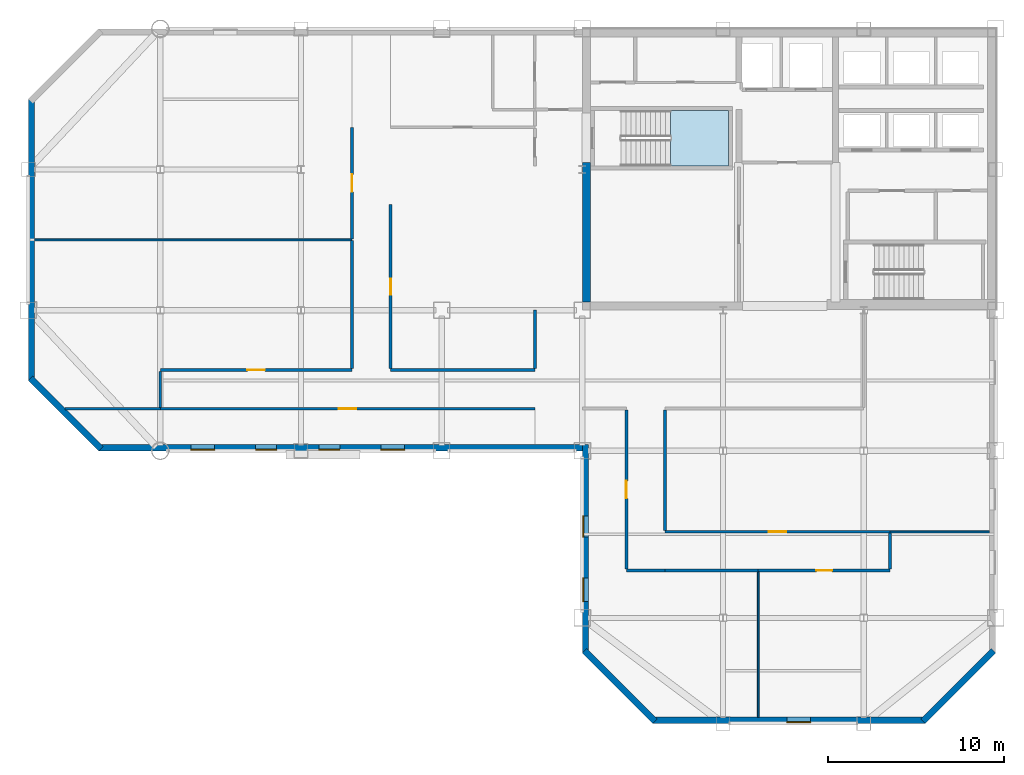
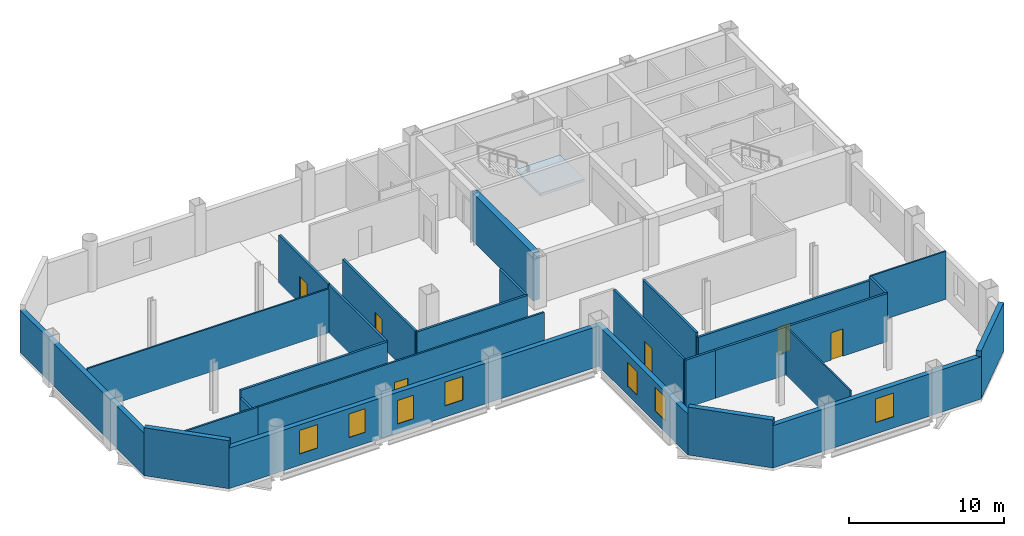
# One storey, part 4 of 10: 27 walls, 7 doors, 7 windows, 1 slab, 14 openings, 1 element without a shape of its own.
"""IFC4 building model written with IfcOpenShell, lengths in metres."""

from ifc_helpers import new_model, si_unit, direction, frame, frame_2d, origin, place, context, subcontext, project, spatial, polyline, rectangle, outline, extrude, material, layer, layer_set, type_object, element, fill, aggregate, save


model = new_model("IFC4")

# Units and contexts
model_context = context("Model", 3, precision=1e-05, world=origin(), true_north=direction((0.0, 1.0)))
body_context = subcontext(model_context, "Body", "Model", "MODEL_VIEW")
ifc_project = project(units=[si_unit("LENGTHUNIT", "METRE"), si_unit("AREAUNIT", "SQUARE_METRE"), si_unit("VOLUMEUNIT", "CUBIC_METRE"), si_unit("PLANEANGLEUNIT", "RADIAN"), si_unit("MASSUNIT", "GRAM", prefix="KILO")], contexts=[model_context])

# Site, building, storey
site_placement = place(None, origin())
site = spatial("IfcSite", under=ifc_project, at=site_placement, CompositionType="ELEMENT")
building_placement = place(site_placement, origin())
building = spatial("IfcBuilding", under=site, at=building_placement, Name="Qianrong Seaharbour Tower", CompositionType="ELEMENT")
storey_placement = place(building_placement, frame((0.0, 0.0, 229.800048828125)))
storey = spatial("IfcBuildingStorey", under=building, at=storey_placement, Name="L55", CompositionType="ELEMENT", Elevation=229.800048828125)

# Stair, slab
ifc_material_1 = material(Name="Concrete C50/60", Category="concrete")
stair_type = type_object("IfcStairType", Name="STAIR-DOGLEG-1500-R22", PredefinedType="HALF_TURN_STAIR", material=ifc_material_1)
stair_placement = place(storey_placement, origin())
stair = element("IfcStair", 1, at=stair_placement, inside=storey, type_object=stair_type, Name="L55 Protected Escape Stair ST-1", PredefinedType="HALF_TURN_STAIR")
ifc_layer_1 = layer(ifc_material_1, 0.199951171875)
ifc_layer_set_1 = layer_set([ifc_layer_1], Name="Concrete C50/60")
slab_type = type_object("IfcSlabType", Name="SLAB-STAIR-LANDING-200", PredefinedType="LANDING", material=ifc_layer_set_1)
slab_placement = place(storey_placement, frame((0.0, 0.0, 1.800048828125)))
slab = element("IfcSlab", 2, at=slab_placement, type_object=slab_type, Name="ST-1 landing 1", PredefinedType="LANDING", context=body_context, shape_type="SweptSolid", body=[
    extrude(outline(polyline([(45.5, 44.199951171875), (48.800048828125, 44.199951171875), (48.800048828125, 47.35009765625), (45.5, 47.35009765625), (45.5, 44.199951171875)])), origin(), (0.0, 0.0, 1.0), 0.199951171875),
])
aggregate(stair, [slab])

# Walls
ifc_material_2 = material(Name="Concrete C60/75", Category="concrete")
ifc_layer_2 = layer(ifc_material_2, 0.4599609375)
ifc_layer_set_2 = layer_set([ifc_layer_2], Name="Concrete C60/75")
wall_type_1 = type_object("IfcWallType", Name="WALL-CORE-460", PredefinedType="SHEAR", material=ifc_layer_set_2)
wall_1_placement = place(storey_placement, frame((40.72998046875, 36.4599609375, 0.0), z_axis=(0.0, 0.0, 1.0), x_axis=(0.0, 1.0, 0.0)))
element("IfcWall", 3, at=wall_1_placement, inside=storey, type_object=wall_type_1, Name="L55 West Core Shear Wall South", PredefinedType="SHEAR", context=body_context, shape_type="SweptSolid", body=[
    extrude(rectangle(XDim=7.93994140625, YDim=0.4599609375, at=frame_2d((3.969970703125, 0.0))), origin(), (0.0, 0.0, 1.0), 3.77490234375),
])
ifc_material_3 = material(Name="Fire-rated acoustic gypsum board partition")
ifc_layer_3 = layer(ifc_material_3, 0.1650390625)
ifc_layer_set_3 = layer_set([ifc_layer_3], Name="Fire-rated acoustic gypsum board partition")
wall_type_2 = type_object("IfcWallType", Name="WALL-CORR-PART-165", PredefinedType="PARTITIONING", material=ifc_layer_set_3)
wall_2_placement = place(storey_placement, frame((16.5, 30.45703125, 0.0), z_axis=(0.0, 0.0, 1.0), x_axis=(0.0, 1.0, 0.0)))
element("IfcWall", 4, at=wall_2_placement, inside=storey, type_object=wall_type_2, Name="L55 Interior Partition Wall 016", PredefinedType="PARTITIONING", context=body_context, shape_type="SweptSolid", body=[
    extrude(rectangle(XDim=2.068359375, YDim=0.1650390625, at=frame_2d((1.0341796875, 0.0))), origin(), (0.0, 0.0, 1.0), 3.178955078125),
])

# Wall, opening, door
wall_3_placement = place(storey_placement, frame((16.5, 32.60009765625, 0.0), z_axis=(0.0, 0.0, 1.0), x_axis=(1.0, 0.0, 0.0)))
wall_3 = element("IfcWall", 5, at=wall_3_placement, inside=storey, type_object=wall_type_2, Name="L55 Interior Partition Wall 017", PredefinedType="PARTITIONING", context=body_context, shape_type="SweptSolid", body=[
    extrude(rectangle(XDim=10.89990234375, YDim=0.1650390625, at=frame_2d((5.449951171875, 0.0))), origin(), (0.0, 0.0, 1.0), 3.77490234375),
])
opening_1_placement = place(wall_3_placement, frame((4.949951171875, 0.0, 0.0)))
opening_1 = element("IfcOpeningElement", 6, at=opening_1_placement, cuts=wall_3, Name="Opening DO-01", PredefinedType="OPENING", context=body_context, shape_type="SweptSolid", body=[
    extrude(rectangle(XDim=1.0, YDim=2.14990234375, at=frame_2d((0.5, 1.074951171875))), frame((0.0, 0.092529296875, 0.0), z_axis=(0.0, -1.0, 0.0), x_axis=(1.0, 0.0, 0.0)), (0.0, 0.0, 1.0), 0.18505859375),
])
ifc_material_4 = material(Name="Acoustic timber and galvanized steel fire door assembly", Category="steel")
door_type_1 = type_object("IfcDoorType", Name="DOOR-OFFICE-1000x2150", OperationType="NOTDEFINED", PredefinedType="DOOR", material=ifc_material_4)
door_1_placement = place(opening_1_placement, origin())
door_1 = element("IfcDoor", 7, at=door_1_placement, inside=storey, type_object=door_type_1, Name="L55 Project Library Door", OperationType="SINGLE_SWING_RIGHT", OverallHeight=2.14990234375, OverallWidth=1.0, PredefinedType="DOOR", context=body_context, shape_type="SweptSolid", body=[
    extrude(rectangle(XDim=1.0, YDim=2.14990234375, at=frame_2d((0.5, 1.074951171875))), frame((0.0, 0.02490234375, 0.0), z_axis=(0.0, -1.0, 0.0), x_axis=(1.0, 0.0, 0.0)), (0.0, 0.0, 1.0), 0.050048828125),
])
fill(opening_1, door_1)

# Wall
wall_4_placement = place(storey_placement, frame((29.60009765625, 32.60009765625, 0.0), z_axis=(0.0, 0.0, 1.0), x_axis=(1.0, 0.0, 0.0)))
element("IfcWall", 8, at=wall_4_placement, inside=storey, type_object=wall_type_2, Name="L55 Interior Partition Wall 018", PredefinedType="PARTITIONING", context=body_context, shape_type="SweptSolid", body=[
    extrude(rectangle(XDim=8.199951171875, YDim=0.1650390625, at=frame_2d((4.10009765625, 0.0))), origin(), (0.0, 0.0, 1.0), 3.77490234375),
])

# Wall, opening, door
wall_5_placement = place(storey_placement, frame((27.39990234375, 40.047119140625, 0.0), z_axis=(0.0, 0.0, 1.0), x_axis=(0.0, 1.0, 0.0)))
wall_5 = element("IfcWall", 9, at=wall_5_placement, inside=storey, type_object=wall_type_2, Name="L55 Interior Partition Wall 020", PredefinedType="PARTITIONING", context=body_context, shape_type="SweptSolid", body=[
    extrude(rectangle(XDim=6.352783203125, YDim=0.1650390625, at=frame_2d((3.17626953125, 0.0))), origin(), (0.0, 0.0, 1.0), 3.77490234375),
])
opening_2_placement = place(wall_5_placement, frame((2.676513671875, 0.0, 0.0)))
opening_2 = element("IfcOpeningElement", 10, at=opening_2_placement, cuts=wall_5, Name="Opening DO-01", PredefinedType="OPENING", context=body_context, shape_type="SweptSolid", body=[
    extrude(rectangle(XDim=1.0, YDim=2.14990234375, at=frame_2d((0.5, 1.074951171875))), frame((0.0, 0.092529296875, 0.0), z_axis=(0.0, -1.0, 0.0), x_axis=(1.0, 0.0, 0.0)), (0.0, 0.0, 1.0), 0.18505859375),
])
door_2_placement = place(opening_2_placement, origin())
door_2 = element("IfcDoor", 11, at=door_2_placement, inside=storey, type_object=door_type_1, Name="L55 West Wing Open-Plan Office Door", OperationType="SINGLE_SWING_LEFT", OverallHeight=2.14990234375, OverallWidth=1.0, PredefinedType="DOOR", context=body_context, shape_type="SweptSolid", body=[
    extrude(rectangle(XDim=1.0, YDim=2.14990234375, at=frame_2d((0.5, 1.074951171875))), frame((0.0, 0.02490234375, 0.0), z_axis=(0.0, -1.0, 0.0), x_axis=(1.0, 0.0, 0.0)), (0.0, 0.0, 1.0), 0.050048828125),
])
fill(opening_2, door_2)

# Wall
wall_6_placement = place(storey_placement, frame((27.39990234375, 32.674560546875, 0.0), z_axis=(0.0, 0.0, 1.0), x_axis=(0.0, 1.0, 0.0)))
element("IfcWall", 12, at=wall_6_placement, inside=storey, type_object=wall_type_2, Name="L55 Interior Partition Wall 021", PredefinedType="PARTITIONING", context=body_context, shape_type="SweptSolid", body=[
    extrude(rectangle(XDim=7.2783203125, YDim=0.1650390625, at=frame_2d((3.63916015625, 0.0))), origin(), (0.0, 0.0, 1.0), 3.77490234375),
])

# Wall, opening, door
wall_7_placement = place(storey_placement, frame((29.60009765625, 42.0, 0.0), z_axis=(0.0, 0.0, 1.0), x_axis=(0.0, -1.0, 0.0)))
wall_7 = element("IfcWall", 13, at=wall_7_placement, inside=storey, type_object=wall_type_2, Name="L55 Interior Partition Wall 022", PredefinedType="PARTITIONING", context=body_context, shape_type="SweptSolid", body=[
    extrude(rectangle(XDim=9.325439453125, YDim=0.1650390625, at=frame_2d((4.66259765625, 0.0))), origin(), (0.0, 0.0, 1.0), 3.77490234375),
])
opening_3_placement = place(wall_7_placement, frame((4.212646484375, 0.0, 0.0)))
opening_3 = element("IfcOpeningElement", 14, at=opening_3_placement, cuts=wall_7, Name="Opening DS-01", PredefinedType="OPENING", context=body_context, shape_type="SweptSolid", body=[
    extrude(rectangle(XDim=0.89990234375, YDim=2.14990234375, at=frame_2d((0.449951171875, 1.074951171875))), frame((0.0, 0.092529296875, 0.0), z_axis=(0.0, -1.0, 0.0), x_axis=(1.0, 0.0, 0.0)), (0.0, 0.0, 1.0), 0.18505859375),
])
door_type_2 = type_object("IfcDoorType", Name="DOOR-STORE-900x2150", OperationType="NOTDEFINED", PredefinedType="DOOR", material=ifc_material_4)
door_3_placement = place(opening_3_placement, origin())
door_3 = element("IfcDoor", 15, at=door_3_placement, inside=storey, type_object=door_type_2, Name="L55 Corporate Archive Room 1 Door", OperationType="SINGLE_SWING_LEFT", OverallHeight=2.14990234375, OverallWidth=0.89990234375, PredefinedType="DOOR", context=body_context, shape_type="SweptSolid", body=[
    extrude(rectangle(XDim=0.89990234375, YDim=2.14990234375, at=frame_2d((0.449951171875, 1.074951171875))), frame((0.0, 0.02490234375, 0.0), z_axis=(0.0, -1.0, 0.0), x_axis=(1.0, 0.0, 0.0)), (0.0, 0.0, 1.0), 0.050048828125),
])
fill(opening_3, door_3)

# Walls
wall_8_placement = place(storey_placement, frame((37.800048828125, 32.674560546875, 0.0), z_axis=(0.0, 0.0, 1.0), x_axis=(0.0, 1.0, 0.0)))
element("IfcWall", 16, at=wall_8_placement, inside=storey, type_object=wall_type_2, Name="L55 Interior Partition Wall 024", PredefinedType="PARTITIONING", context=body_context, shape_type="SweptSolid", body=[
    extrude(rectangle(XDim=3.325439453125, YDim=0.1650390625, at=frame_2d((1.66259765625, 0.0))), origin(), (0.0, 0.0, 1.0), 3.77490234375),
])
wall_9_placement = place(storey_placement, frame((45.199951171875, 30.325439453125, 0.0), z_axis=(0.0, 0.0, 1.0), x_axis=(0.0, -1.0, 0.0)))
element("IfcWall", 17, at=wall_9_placement, inside=storey, type_object=wall_type_2, Name="L55 Interior Partition Wall 028", PredefinedType="PARTITIONING", context=body_context, shape_type="SweptSolid", body=[
    extrude(rectangle(XDim=6.850830078125, YDim=0.1650390625, at=frame_2d((3.42529296875, 0.0))), origin(), (0.0, 0.0, 1.0), 3.77490234375),
])
wall_10_placement = place(storey_placement, frame((45.199951171875, 21.199951171875, 0.0), z_axis=(0.0, 0.0, 1.0), x_axis=(-1.0, 0.0, 0.0)))
element("IfcWall", 18, at=wall_10_placement, inside=storey, type_object=wall_type_2, Name="L55 Interior Partition Wall 029", PredefinedType="PARTITIONING", context=body_context, shape_type="SweptSolid", body=[
    extrude(rectangle(XDim=2.199951171875, YDim=0.1650390625, at=frame_2d((1.10009765625, 0.0))), origin(), (0.0, 0.0, 1.0), 3.77490234375),
])

# Wall, opening, door
wall_11_placement = place(storey_placement, frame((43.0, 21.2744140625, 0.0), z_axis=(0.0, 0.0, 1.0), x_axis=(0.0, 1.0, 0.0)))
wall_11 = element("IfcWall", 19, at=wall_11_placement, inside=storey, type_object=wall_type_2, Name="L55 Interior Partition Wall 030", PredefinedType="PARTITIONING", context=body_context, shape_type="SweptSolid", body=[
    extrude(rectangle(XDim=9.051025390625, YDim=0.1650390625, at=frame_2d((4.525390625, 0.0))), origin(), (0.0, 0.0, 1.0), 3.77490234375),
])
opening_4_placement = place(wall_11_placement, frame((4.025390625, 0.0, 0.0)))
opening_4 = element("IfcOpeningElement", 20, at=opening_4_placement, cuts=wall_11, Name="Opening DO-01", PredefinedType="OPENING", context=body_context, shape_type="SweptSolid", body=[
    extrude(rectangle(XDim=1.0, YDim=2.14990234375, at=frame_2d((0.5, 1.074951171875))), frame((0.0, 0.092529296875, 0.0), z_axis=(0.0, -1.0, 0.0), x_axis=(1.0, 0.0, 0.0)), (0.0, 0.0, 1.0), 0.18505859375),
])
door_4_placement = place(opening_4_placement, origin())
door_4 = element("IfcDoor", 21, at=door_4_placement, inside=storey, type_object=door_type_1, Name="L55 Harbour Symposium Hall 1 Door", OperationType="SINGLE_SWING_LEFT", OverallHeight=2.14990234375, OverallWidth=1.0, PredefinedType="DOOR", context=body_context, shape_type="SweptSolid", body=[
    extrude(rectangle(XDim=1.0, YDim=2.14990234375, at=frame_2d((0.5, 1.074951171875))), frame((0.0, 0.02490234375, 0.0), z_axis=(0.0, -1.0, 0.0), x_axis=(1.0, 0.0, 0.0)), (0.0, 0.0, 1.0), 0.050048828125),
])
fill(opening_4, door_4)

wall_12_placement = place(storey_placement, frame((45.199951171875, 23.39990234375, 0.0), z_axis=(0.0, 0.0, 1.0), x_axis=(1.0, 0.0, 0.0)))
wall_12 = element("IfcWall", 22, at=wall_12_placement, inside=storey, type_object=wall_type_2, Name="L55 Interior Partition Wall 031", PredefinedType="PARTITIONING", context=body_context, shape_type="SweptSolid", body=[
    extrude(rectangle(XDim=12.800048828125, YDim=0.1650390625, at=frame_2d((6.39990234375, 0.0))), origin(), (0.0, 0.0, 1.0), 3.467041015625),
])
opening_5_placement = place(wall_12_placement, frame((5.89990234375, 0.0, 0.0)))
opening_5 = element("IfcOpeningElement", 23, at=opening_5_placement, cuts=wall_12, Name="Opening DO-01", PredefinedType="OPENING", context=body_context, shape_type="SweptSolid", body=[
    extrude(rectangle(XDim=1.0, YDim=2.14990234375, at=frame_2d((0.5, 1.074951171875))), frame((0.0, 0.092529296875, 0.0), z_axis=(0.0, -1.0, 0.0), x_axis=(1.0, 0.0, 0.0)), (0.0, 0.0, 1.0), 0.18505859375),
])
door_5_placement = place(opening_5_placement, origin())
door_5 = element("IfcDoor", 24, at=door_5_placement, inside=storey, type_object=door_type_1, Name="L55 Staff Club Assembly Hall Door", OperationType="SINGLE_SWING_LEFT", OverallHeight=2.14990234375, OverallWidth=1.0, PredefinedType="DOOR", context=body_context, shape_type="SweptSolid", body=[
    extrude(rectangle(XDim=1.0, YDim=2.14990234375, at=frame_2d((0.5, 1.074951171875))), frame((0.0, 0.02490234375, 0.0), z_axis=(0.0, -1.0, 0.0), x_axis=(1.0, 0.0, 0.0)), (0.0, 0.0, 1.0), 0.050048828125),
])
fill(opening_5, door_5)

# Walls
wall_13_placement = place(storey_placement, frame((50.5, 21.199951171875, 0.0), z_axis=(0.0, 0.0, 1.0), x_axis=(-1.0, 0.0, 0.0)))
element("IfcWall", 25, at=wall_13_placement, inside=storey, type_object=wall_type_2, Name="L55 Interior Partition Wall 032", PredefinedType="PARTITIONING", context=body_context, shape_type="SweptSolid", body=[
    extrude(rectangle(XDim=5.300048828125, YDim=0.1650390625, at=frame_2d((2.64990234375, 0.0))), origin(), (0.0, 0.0, 1.0), 3.77490234375),
])
wall_14_placement = place(storey_placement, frame((58.0, 23.325439453125, 0.0), z_axis=(0.0, 0.0, 1.0), x_axis=(0.0, -1.0, 0.0)))
element("IfcWall", 26, at=wall_14_placement, inside=storey, type_object=wall_type_2, Name="L55 Interior Partition Wall 033", PredefinedType="PARTITIONING", context=body_context, shape_type="SweptSolid", body=[
    extrude(rectangle(XDim=2.051025390625, YDim=0.1650390625, at=frame_2d((1.025390625, 0.0))), origin(), (0.0, 0.0, 1.0), 3.77490234375),
])

# Wall, opening, door
wall_15_placement = place(storey_placement, frame((58.0, 21.199951171875, 0.0), z_axis=(0.0, 0.0, 1.0), x_axis=(-1.0, 0.0, 0.0)))
wall_15 = element("IfcWall", 27, at=wall_15_placement, inside=storey, type_object=wall_type_2, Name="L55 Interior Partition Wall 034", PredefinedType="PARTITIONING", context=body_context, shape_type="SweptSolid", body=[
    extrude(rectangle(XDim=7.5, YDim=0.1650390625, at=frame_2d((3.75, 0.0))), origin(), (0.0, 0.0, 1.0), 3.77490234375),
])
opening_6_placement = place(wall_15_placement, frame((3.300048828125, 0.0, 0.0)))
opening_6 = element("IfcOpeningElement", 28, at=opening_6_placement, cuts=wall_15, Name="Opening DS-01", PredefinedType="OPENING", context=body_context, shape_type="SweptSolid", body=[
    extrude(rectangle(XDim=0.89990234375, YDim=2.14990234375, at=frame_2d((0.449951171875, 1.074951171875))), frame((0.0, 0.092529296875, 0.0), z_axis=(0.0, -1.0, 0.0), x_axis=(1.0, 0.0, 0.0)), (0.0, 0.0, 1.0), 0.18505859375),
])
door_6_placement = place(opening_6_placement, origin())
door_6 = element("IfcDoor", 29, at=door_6_placement, inside=storey, type_object=door_type_2, Name="L55 Corporate Archive Room 2 Door", OperationType="SINGLE_SWING_RIGHT", OverallHeight=2.14990234375, OverallWidth=0.89990234375, PredefinedType="DOOR", context=body_context, shape_type="SweptSolid", body=[
    extrude(rectangle(XDim=0.89990234375, YDim=2.14990234375, at=frame_2d((0.449951171875, 1.074951171875))), frame((0.0, 0.02490234375, 0.0), z_axis=(0.0, -1.0, 0.0), x_axis=(1.0, 0.0, 0.0)), (0.0, 0.0, 1.0), 0.050048828125),
])
fill(opening_6, door_6)

# Walls
ifc_material_5 = material(Name="Demountable aluminium-framed acoustic office partition", Category="aluminium")
ifc_layer_4 = layer(ifc_material_5, 0.110107421875)
ifc_layer_set_4 = layer_set([ifc_layer_4], Name="Demountable aluminium-framed acoustic office partition")
wall_type_3 = type_object("IfcWallType", Name="WALL-DEMOUNT-110", PredefinedType="MOVABLE", material=ifc_layer_set_4)
wall_16_placement = place(storey_placement, frame((27.39990234375, 40.0, 0.0), z_axis=(0.0, 0.0, 1.0), x_axis=(-1.0, 0.0, 0.0)))
element("IfcWall", 30, at=wall_16_placement, inside=storey, type_object=wall_type_3, Name="L55 Interior Partition Wall 035", PredefinedType="MOVABLE", context=body_context, shape_type="SweptSolid", body=[
    extrude(rectangle(XDim=18.0478515625, YDim=0.110107421875, at=frame_2d((9.02392578125, 0.0))), origin(), (0.0, 0.0, 1.0), 3.467041015625),
])
wall_17_placement = place(storey_placement, frame((63.64794921875, 23.39990234375, 0.0), z_axis=(0.0, 0.0, 1.0), x_axis=(-1.0, 0.0, 0.0)))
element("IfcWall", 31, at=wall_17_placement, inside=storey, type_object=wall_type_3, Name="L55 Interior Partition Wall 037", PredefinedType="MOVABLE", context=body_context, shape_type="SweptSolid", body=[
    extrude(rectangle(XDim=5.64794921875, YDim=0.110107421875, at=frame_2d((2.823974609375, 0.0))), origin(), (0.0, 0.0, 1.0), 3.77490234375),
])
wall_18_placement = place(storey_placement, frame((50.5, 21.12548828125, 0.0), z_axis=(0.0, 0.0, 1.0), x_axis=(0.0, -1.0, 0.0)))
element("IfcWall", 32, at=wall_18_placement, inside=storey, type_object=wall_type_3, Name="L55 Interior Partition Wall 038", PredefinedType="MOVABLE", context=body_context, shape_type="SweptSolid", body=[
    extrude(rectangle(XDim=8.2734375, YDim=0.110107421875, at=frame_2d((4.13671875, 0.0))), origin(), (0.0, 0.0, 1.0), 3.77490234375),
])

# Wall, openings, windows
ifc_material_6 = material(Name="Unitised red brick on Precast concrete C45/55", Category="masonry")
ifc_layer_5 = layer(ifc_material_6, 0.360107421875)
ifc_layer_set_5 = layer_set([ifc_layer_5], Name="Unitised red brick on Precast concrete C45/55")
wall_type_4 = type_object("IfcWallType", Name="WALL-EXT-BRICK-RED-360", PredefinedType="SOLIDWALL", material=ifc_layer_set_5)
wall_19_placement = place(storey_placement, frame((40.679931640625, 16.5, 0.0), z_axis=(0.0, 0.0, 1.0), x_axis=(0.0, 1.0, 0.0)))
wall_19 = element("IfcWall", 33, at=wall_19_placement, inside=storey, type_object=wall_type_4, Name="L55 Exterior Masonry Facade Wall REENTRANT_WEST", PredefinedType="SOLIDWALL", context=body_context, shape_type="SweptSolid", body=[
    extrude(rectangle(XDim=11.860107421875, YDim=0.360107421875, at=frame_2d((5.93017578125, 0.0))), origin(), (0.0, 0.0, 1.0), 3.18701171875),
])
opening_7_placement = place(wall_19_placement, frame((2.925048828125, 0.0, 0.89990234375)))
opening_7 = element("IfcOpeningElement", 34, at=opening_7_placement, cuts=wall_19, Name="Opening WN-02", PredefinedType="OPENING", context=body_context, shape_type="SweptSolid", body=[
    extrude(rectangle(XDim=1.35009765625, YDim=1.85009765625, at=frame_2d((0.675048828125, 0.925048828125))), frame((0.0, 0.18994140625, 0.0), z_axis=(0.0, -1.0, 0.0), x_axis=(1.0, 0.0, 0.0)), (0.0, 0.0, 1.0), 0.380126953125),
])
opening_8_placement = place(wall_19_placement, frame((6.60009765625, 0.0, 0.699951171875)))
opening_8 = element("IfcOpeningElement", 35, at=opening_8_placement, cuts=wall_19, Name="Opening WN-01", PredefinedType="OPENING", context=body_context, shape_type="SweptSolid", body=[
    extrude(rectangle(XDim=1.199951171875, YDim=1.85009765625, at=frame_2d((0.60009765625, 0.925048828125))), frame((0.0, 0.18994140625, 0.0), z_axis=(0.0, -1.0, 0.0), x_axis=(1.0, 0.0, 0.0)), (0.0, 0.0, 1.0), 0.380126953125),
])
ifc_material_7 = material(Name="Insulated low-e double glazing in thermally broken aluminium 6063-T6 frame", Category="aluminium")
window_type_1 = type_object("IfcWindowType", Name="WIN-PUNCH-1200x1850", PartitioningType="DOUBLE_PANEL_VERTICAL", PredefinedType="WINDOW", material=ifc_material_7)
window_1_placement = place(opening_8_placement, origin())
window_1 = element("IfcWindow", 36, at=window_1_placement, inside=storey, type_object=window_type_1, Name="L55 Deep-Set Punched Window 00.02", OverallHeight=1.85009765625, OverallWidth=1.199951171875, PartitioningType="DOUBLE_PANEL_VERTICAL", PredefinedType="WINDOW", context=body_context, shape_type="SweptSolid", body=[
    extrude(rectangle(XDim=1.199951171875, YDim=1.85009765625, at=frame_2d((0.60009765625, 0.925048828125))), frame((0.0, 0.150146484375, 0.0), z_axis=(0.0, -1.0, 0.0), x_axis=(1.0, 0.0, 0.0)), (0.0, 0.0, 1.0), 0.06005859375),
])
fill(opening_8, window_1)
window_type_2 = type_object("IfcWindowType", Name="WIN-PUNCH-1350x1850", PartitioningType="DOUBLE_PANEL_VERTICAL", PredefinedType="WINDOW", material=ifc_material_7)
window_2_placement = place(opening_7_placement, origin())
window_2 = element("IfcWindow", 37, at=window_2_placement, inside=storey, type_object=window_type_2, Name="L55 Deep-Set Punched Window 00.01", OverallHeight=1.85009765625, OverallWidth=1.35009765625, PartitioningType="DOUBLE_PANEL_VERTICAL", PredefinedType="WINDOW", context=body_context, shape_type="SweptSolid", body=[
    extrude(rectangle(XDim=1.35009765625, YDim=1.85009765625, at=frame_2d((0.675048828125, 0.925048828125))), frame((0.0, 0.150146484375, 0.0), z_axis=(0.0, -1.0, 0.0), x_axis=(1.0, 0.0, 0.0)), (0.0, 0.0, 1.0), 0.06005859375),
])
fill(opening_7, window_2)

wall_20_placement = place(storey_placement, frame((40.52001953125, 28.179931640625, 0.0), z_axis=(0.0, 0.0, 1.0), x_axis=(-1.0, 0.0, 0.0)))
wall_20 = element("IfcWall", 38, at=wall_20_placement, inside=storey, type_object=wall_type_4, Name="L55 Exterior Masonry Facade Wall HARBOUR_RIBBON", PredefinedType="SOLIDWALL", context=body_context, shape_type="SweptSolid", body=[
    extrude(rectangle(XDim=27.52001953125, YDim=0.360107421875, at=frame_2d((13.760009765625, 0.0))), origin(), (0.0, 0.0, 1.0), 3.18701171875),
])
opening_9_placement = place(wall_20_placement, frame((10.125, 0.0, 0.89990234375)))
opening_9 = element("IfcOpeningElement", 39, at=opening_9_placement, cuts=wall_20, Name="Opening WN-02", PredefinedType="OPENING", context=body_context, shape_type="SweptSolid", body=[
    extrude(rectangle(XDim=1.35009765625, YDim=1.85009765625, at=frame_2d((0.675048828125, 0.925048828125))), frame((0.0, 0.18994140625, 0.0), z_axis=(0.0, -1.0, 0.0), x_axis=(1.0, 0.0, 0.0)), (0.0, 0.0, 1.0), 0.380126953125),
])
opening_10_placement = place(wall_20_placement, frame((13.800048828125, 0.0, 0.699951171875)))
opening_10 = element("IfcOpeningElement", 40, at=opening_10_placement, cuts=wall_20, Name="Opening WN-01", PredefinedType="OPENING", context=body_context, shape_type="SweptSolid", body=[
    extrude(rectangle(XDim=1.199951171875, YDim=1.85009765625, at=frame_2d((0.60009765625, 0.925048828125))), frame((0.0, 0.18994140625, 0.0), z_axis=(0.0, -1.0, 0.0), x_axis=(1.0, 0.0, 0.0)), (0.0, 0.0, 1.0), 0.380126953125),
])
opening_11_placement = place(wall_20_placement, frame((17.39990234375, 0.0, 0.89990234375)))
opening_11 = element("IfcOpeningElement", 41, at=opening_11_placement, cuts=wall_20, Name="Opening WN-01", PredefinedType="OPENING", context=body_context, shape_type="SweptSolid", body=[
    extrude(rectangle(XDim=1.199951171875, YDim=1.85009765625, at=frame_2d((0.60009765625, 0.925048828125))), frame((0.0, 0.18994140625, 0.0), z_axis=(0.0, -1.0, 0.0), x_axis=(1.0, 0.0, 0.0)), (0.0, 0.0, 1.0), 0.380126953125),
])
opening_12_placement = place(wall_20_placement, frame((20.925048828125, 0.0, 0.89990234375)))
opening_12 = element("IfcOpeningElement", 42, at=opening_12_placement, cuts=wall_20, Name="Opening WN-02", PredefinedType="OPENING", context=body_context, shape_type="SweptSolid", body=[
    extrude(rectangle(XDim=1.35009765625, YDim=1.85009765625, at=frame_2d((0.675048828125, 0.925048828125))), frame((0.0, 0.18994140625, 0.0), z_axis=(0.0, -1.0, 0.0), x_axis=(1.0, 0.0, 0.0)), (0.0, 0.0, 1.0), 0.380126953125),
])
window_3_placement = place(opening_10_placement, origin())
window_3 = element("IfcWindow", 43, at=window_3_placement, inside=storey, type_object=window_type_1, Name="L55 Deep-Set Punched Window 01.04", OverallHeight=1.85009765625, OverallWidth=1.199951171875, PartitioningType="DOUBLE_PANEL_VERTICAL", PredefinedType="WINDOW", context=body_context, shape_type="SweptSolid", body=[
    extrude(rectangle(XDim=1.199951171875, YDim=1.85009765625, at=frame_2d((0.60009765625, 0.925048828125))), frame((0.0, 0.150146484375, 0.0), z_axis=(0.0, -1.0, 0.0), x_axis=(1.0, 0.0, 0.0)), (0.0, 0.0, 1.0), 0.06005859375),
])
fill(opening_10, window_3)
window_4_placement = place(opening_11_placement, origin())
window_4 = element("IfcWindow", 44, at=window_4_placement, inside=storey, type_object=window_type_1, Name="L55 Deep-Set Punched Window 01.05", OverallHeight=1.85009765625, OverallWidth=1.199951171875, PartitioningType="DOUBLE_PANEL_VERTICAL", PredefinedType="WINDOW", context=body_context, shape_type="SweptSolid", body=[
    extrude(rectangle(XDim=1.199951171875, YDim=1.85009765625, at=frame_2d((0.60009765625, 0.925048828125))), frame((0.0, 0.150146484375, 0.0), z_axis=(0.0, -1.0, 0.0), x_axis=(1.0, 0.0, 0.0)), (0.0, 0.0, 1.0), 0.06005859375),
])
fill(opening_11, window_4)
window_5_placement = place(opening_9_placement, origin())
window_5 = element("IfcWindow", 45, at=window_5_placement, inside=storey, type_object=window_type_2, Name="L55 Deep-Set Punched Window 01.03", OverallHeight=1.85009765625, OverallWidth=1.35009765625, PartitioningType="DOUBLE_PANEL_VERTICAL", PredefinedType="WINDOW", context=body_context, shape_type="SweptSolid", body=[
    extrude(rectangle(XDim=1.35009765625, YDim=1.85009765625, at=frame_2d((0.675048828125, 0.925048828125))), frame((0.0, 0.150146484375, 0.0), z_axis=(0.0, -1.0, 0.0), x_axis=(1.0, 0.0, 0.0)), (0.0, 0.0, 1.0), 0.06005859375),
])
fill(opening_9, window_5)
window_6_placement = place(opening_12_placement, origin())
window_6 = element("IfcWindow", 46, at=window_6_placement, inside=storey, type_object=window_type_2, Name="L55 Deep-Set Punched Window 01.06", OverallHeight=1.85009765625, OverallWidth=1.35009765625, PartitioningType="DOUBLE_PANEL_VERTICAL", PredefinedType="WINDOW", context=body_context, shape_type="SweptSolid", body=[
    extrude(rectangle(XDim=1.35009765625, YDim=1.85009765625, at=frame_2d((0.675048828125, 0.925048828125))), frame((0.0, 0.150146484375, 0.0), z_axis=(0.0, -1.0, 0.0), x_axis=(1.0, 0.0, 0.0)), (0.0, 0.0, 1.0), 0.06005859375),
])
fill(opening_12, window_6)

# Walls
wall_21_placement = place(storey_placement, frame((13.127197265625, 28.127197265625, 0.0), z_axis=(0.0, 0.0, 1.0), x_axis=(-0.707106781187, 0.707106781187, 0.0)))
element("IfcWall", 47, at=wall_21_placement, inside=storey, type_object=wall_type_4, Name="L55 Exterior Masonry Facade Wall E02", PredefinedType="SOLIDWALL", context=body_context, shape_type="SweptSolid", body=[
    extrude(rectangle(XDim=5.65673828125, YDim=0.360107421875, at=frame_2d((2.828369140625, 0.0))), origin(), (0.0, 0.0, 1.0), 3.77490234375),
])
wall_22_placement = place(storey_placement, frame((9.179931640625, 32.0, 0.0), z_axis=(0.0, 0.0, 1.0), x_axis=(0.0, 1.0, 0.0)))
element("IfcWall", 48, at=wall_22_placement, inside=storey, type_object=wall_type_4, Name="L55 Exterior Masonry Facade Wall WEST_TIP", PredefinedType="SOLIDWALL", context=body_context, shape_type="SweptSolid", body=[
    extrude(rectangle(XDim=16.0, YDim=0.360107421875, at=frame_2d((8.0, 0.0))), origin(), (0.0, 0.0, 1.0), 3.324951171875),
])
wall_23_placement = place(storey_placement, frame((63.872802734375, 16.627197265625, 0.0), z_axis=(0.0, 0.0, 1.0), x_axis=(-0.707106781187, -0.707106781187, 0.0)))
element("IfcWall", 49, at=wall_23_placement, inside=storey, type_object=wall_type_4, Name="L55 Exterior Masonry Facade Wall E07", PredefinedType="SOLIDWALL", context=body_context, shape_type="SweptSolid", body=[
    extrude(rectangle(XDim=5.65673828125, YDim=0.360107421875, at=frame_2d((2.828369140625, 0.0))), origin(), (0.0, 0.0, 1.0), 3.77490234375),
])

# Wall, opening, window
wall_24_placement = place(storey_placement, frame((60.0, 12.679931640625, 0.0), z_axis=(0.0, 0.0, 1.0), x_axis=(-1.0, 0.0, 0.0)))
wall_24 = element("IfcWall", 50, at=wall_24_placement, inside=storey, type_object=wall_type_4, Name="L55 Exterior Masonry Facade Wall SOUTH_TIP", PredefinedType="SOLIDWALL", context=body_context, shape_type="SweptSolid", body=[
    extrude(rectangle(XDim=15.5, YDim=0.360107421875, at=frame_2d((7.75, 0.0))), origin(), (0.0, 0.0, 1.0), 3.324951171875),
])
opening_13_placement = place(wall_24_placement, frame((6.52490234375, 0.0, 0.89990234375)))
opening_13 = element("IfcOpeningElement", 51, at=opening_13_placement, cuts=wall_24, Name="Opening WN-02", PredefinedType="OPENING", context=body_context, shape_type="SweptSolid", body=[
    extrude(rectangle(XDim=1.35009765625, YDim=1.85009765625, at=frame_2d((0.675048828125, 0.925048828125))), frame((0.0, 0.18994140625, 0.0), z_axis=(0.0, -1.0, 0.0), x_axis=(1.0, 0.0, 0.0)), (0.0, 0.0, 1.0), 0.380126953125),
])
window_7_placement = place(opening_13_placement, origin())
window_7 = element("IfcWindow", 52, at=window_7_placement, inside=storey, type_object=window_type_2, Name="L55 Deep-Set Punched Window 08.02", OverallHeight=1.85009765625, OverallWidth=1.35009765625, PartitioningType="DOUBLE_PANEL_VERTICAL", PredefinedType="WINDOW", context=body_context, shape_type="SweptSolid", body=[
    extrude(rectangle(XDim=1.35009765625, YDim=1.85009765625, at=frame_2d((0.675048828125, 0.925048828125))), frame((0.0, 0.150146484375, 0.0), z_axis=(0.0, -1.0, 0.0), x_axis=(1.0, 0.0, 0.0)), (0.0, 0.0, 1.0), 0.06005859375),
])
fill(opening_13, window_7)

# Wall
wall_25_placement = place(storey_placement, frame((44.627197265625, 12.627197265625, 0.0), z_axis=(0.0, 0.0, 1.0), x_axis=(-0.707106781187, 0.707106781187, 0.0)))
element("IfcWall", 53, at=wall_25_placement, inside=storey, type_object=wall_type_4, Name="L55 Exterior Masonry Facade Wall E09", PredefinedType="SOLIDWALL", context=body_context, shape_type="SweptSolid", body=[
    extrude(rectangle(XDim=5.65673828125, YDim=0.360107421875, at=frame_2d((2.828369140625, 0.0))), origin(), (0.0, 0.0, 1.0), 3.77490234375),
])

# Wall, opening, door
ifc_material_8 = material(Name="Water-resistant cement board sanitary partition")
ifc_layer_6 = layer(ifc_material_8, 0.1298828125)
ifc_layer_set_6 = layer_set([ifc_layer_6], Name="Water-resistant cement board sanitary partition")
wall_type_5 = type_object("IfcWallType", Name="WALL-WET-PART-130", PredefinedType="PARTITIONING", material=ifc_layer_set_6)
wall_26_placement = place(storey_placement, frame((37.800048828125, 30.39990234375, 0.0), z_axis=(0.0, 0.0, 1.0), x_axis=(-1.0, 0.0, 0.0)))
wall_26 = element("IfcWall", 54, at=wall_26_placement, inside=storey, type_object=wall_type_5, Name="L55 Interior Partition Wall 019", PredefinedType="PARTITIONING", context=body_context, shape_type="SweptSolid", body=[
    extrude(rectangle(XDim=21.300048828125, YDim=0.1298828125, at=frame_2d((10.64990234375, 0.0))), origin(), (0.0, 0.0, 1.0), 3.77490234375),
])
opening_14_placement = place(wall_26_placement, frame((10.14990234375, 0.0, 0.0)))
opening_14 = element("IfcOpeningElement", 55, at=opening_14_placement, cuts=wall_26, Name="Opening DO-01", PredefinedType="OPENING", context=body_context, shape_type="SweptSolid", body=[
    extrude(rectangle(XDim=1.0, YDim=2.14990234375, at=frame_2d((0.5, 1.074951171875))), frame((0.0, 0.074951171875, 0.0), z_axis=(0.0, -1.0, 0.0), x_axis=(1.0, 0.0, 0.0)), (0.0, 0.0, 1.0), 0.14990234375),
])
door_7_placement = place(opening_14_placement, origin())
door_7 = element("IfcDoor", 56, at=door_7_placement, inside=storey, type_object=door_type_1, Name="L55 Wet Pantry Door", OperationType="SINGLE_SWING_RIGHT", OverallHeight=2.14990234375, OverallWidth=1.0, PredefinedType="DOOR", context=body_context, shape_type="SweptSolid", body=[
    extrude(rectangle(XDim=1.0, YDim=2.14990234375, at=frame_2d((0.5, 1.074951171875))), frame((0.0, 0.02490234375, 0.0), z_axis=(0.0, -1.0, 0.0), x_axis=(1.0, 0.0, 0.0)), (0.0, 0.0, 1.0), 0.050048828125),
])
fill(opening_14, door_7)

# Wall
wall_27_placement = place(storey_placement, frame((16.5, 30.39990234375, 0.0), z_axis=(0.0, 0.0, 1.0), x_axis=(-1.0, 0.0, 0.0)))
element("IfcWall", 57, at=wall_27_placement, inside=storey, type_object=wall_type_5, Name="L55 Interior Partition Wall 036", PredefinedType="PARTITIONING", context=body_context, shape_type="SweptSolid", body=[
    extrude(rectangle(XDim=5.402099609375, YDim=0.1298828125, at=frame_2d((2.701171875, 0.0))), origin(), (0.0, 0.0, 1.0), 3.77490234375),
])

save(model, "model.ifc")
